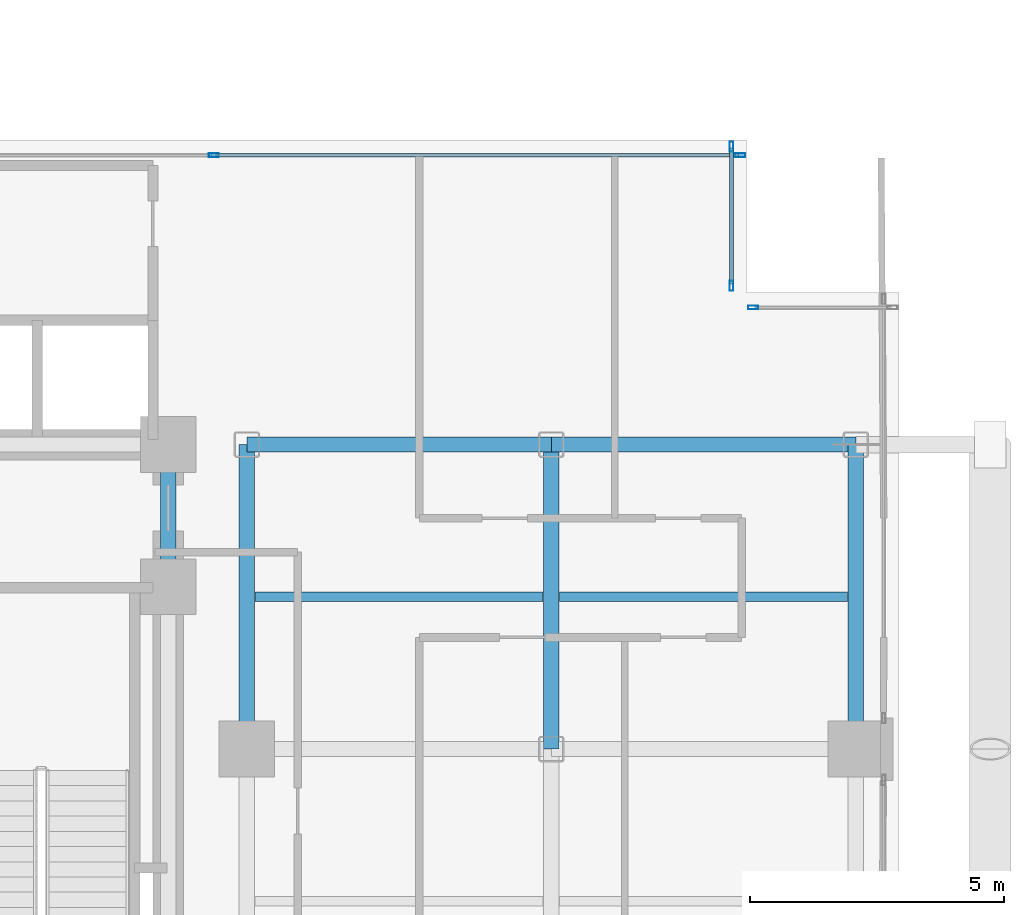
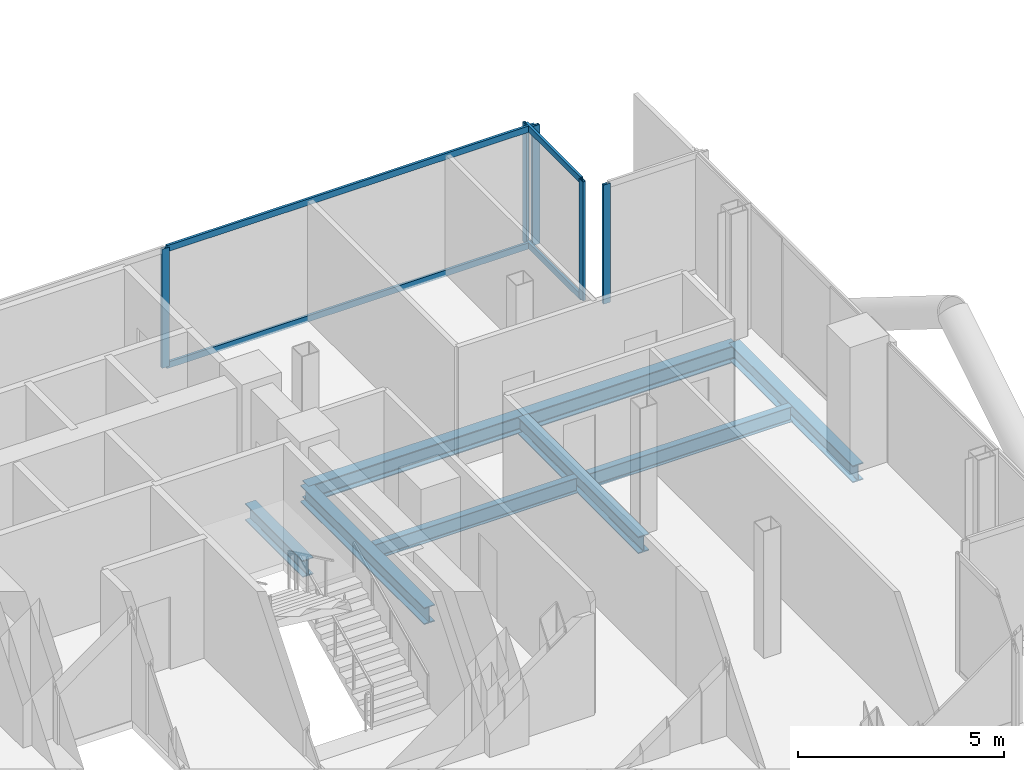
# One storey, part 13 of 28: 9 members, 8 beams, 3 elements without a shape of their own.
"""IFC4 building model written with IfcOpenShell, lengths in metres."""

from ifc_helpers import new_model, si_unit, direction, frame, origin, origin_2d, place, context, subcontext, project, spatial, hollow_rectangle, i_section, extrude, material, layer, layer_set, material_profile, profile_set, type_object, element, aggregate, save


model = new_model("IFC4")

# Units and contexts
model_context = context("Model", 3, precision=1e-05, world=origin(), true_north=direction((0.0, 1.0)))
body_context = subcontext(model_context, "Body", "Model", "MODEL_VIEW")
ifc_project = project(units=[si_unit("LENGTHUNIT", "METRE"), si_unit("AREAUNIT", "SQUARE_METRE"), si_unit("VOLUMEUNIT", "CUBIC_METRE"), si_unit("PLANEANGLEUNIT", "RADIAN"), si_unit("MASSUNIT", "GRAM", prefix="KILO"), si_unit("THERMODYNAMICTEMPERATUREUNIT", "KELVIN"), si_unit("POWERUNIT", "WATT")], contexts=[model_context])

# Site, building, storey
site_placement = place(None, origin())
site = spatial("IfcSite", under=ifc_project, at=site_placement, CompositionType="ELEMENT")
building_placement = place(site_placement, origin())
building = spatial("IfcBuilding", under=site, at=building_placement, Name="Svarakhadi Broadcast Tower", CompositionType="ELEMENT")
storey_placement = place(building_placement, frame((0.0, 0.0, 103.35009765625)))
storey = spatial("IfcBuildingStorey", under=building, at=storey_placement, Name="L24", CompositionType="ELEMENT", Elevation=103.35009765625)

# Beams
ifc_material_1 = material(Name="Steel S355J2 (IS 2062 E350C)", Category="steel")
ifc_material_profile_1 = material_profile(ifc_material_1, i_section(OverallWidth=0.18994140625, OverallDepth=0.449951171875, WebThickness=0.009521484375, FlangeThickness=0.0146484375, FilletRadius=0.02099609375, at=origin_2d()), Name="NPB 450x190x78")
ifc_profile_set_1 = profile_set([ifc_material_profile_1], Name="Steel S355J2 (IS 2062 E350C)")
beam_type_1 = type_object("IfcBeamType", Name="Beam_NPB450", PredefinedType="BEAM", material=ifc_profile_set_1)
for number, where, z_axis, x_axis, name in (
    (1, (35.31005859375, 15.0, -0.4501953125), (1.0, 0.0, 0.0), (0.0, 1.0, 0.0), "L24 Secondary Composite Beam SB021"),
    (2, (41.31005859375, 15.0, -0.4501953125), (1.0, 0.0, 0.0), (0.0, 1.0, 0.0), "L24 Secondary Composite Beam SB023"),
):
    element("IfcBeam", number, at=place(storey_placement, frame(where, z_axis=z_axis, x_axis=x_axis)), inside=storey, type_object=beam_type_1, Name=name, PredefinedType="BEAM", context=body_context, shape_type="SweptSolid", body=[
        extrude(i_section(OverallWidth=0.18994140625, OverallDepth=0.449951171875, WebThickness=0.009521484375, FlangeThickness=0.0146484375, FilletRadius=0.02099609375, at=origin_2d()), origin(), (0.0, 0.0, 1.0), 5.679931640625),
    ])

# Curtain wall, members
ifc_material_2 = material(Name="Anodised Bronze Aluminium AA 6063-T6", Category="aluminium")
ifc_layer = layer(ifc_material_2, 0.199951171875)
ifc_layer_set = layer_set([ifc_layer], Name="Anodised Bronze Aluminium AA 6063-T6")
curtain_wall_type = type_object("IfcCurtainWallType", Name="CW_Sys_03", PredefinedType="NOTDEFINED", material=ifc_layer_set)
curtain_wall_1_placement = place(storey_placement, origin())
curtain_wall_1 = element("IfcCurtainWall", 3, at=curtain_wall_1_placement, inside=storey, type_object=curtain_wall_type, Name="L24 Unitised Facade Curtain Wall 10", PredefinedType="NOTDEFINED")
ifc_material_profile_2 = material_profile(ifc_material_2, hollow_rectangle(XDim=0.074951171875, YDim=0.199951171875, WallThickness=0.005615234375, at=origin_2d()), Name="ALU MULLION 200x75x6")
ifc_profile_set_2 = profile_set([ifc_material_profile_2], Name="Anodised Bronze Aluminium AA 6063-T6")
member_type_1 = type_object("IfcMemberType", Name="CW_Sys_03_Mul", PredefinedType="MULLION", material=ifc_profile_set_2)
member_1_placement = place(storey_placement, frame((34.5, 23.699951171875, 0.0), z_axis=(0.0, 0.0, 1.0), x_axis=(0.0, 1.0, 0.0)))
member_1 = element("IfcMember", 4, at=member_1_placement, type_object=member_type_1, Name="CW-03 mullion 2", PredefinedType="MULLION", context=body_context, shape_type="SweptSolid", body=[
    extrude(hollow_rectangle(XDim=0.074951171875, YDim=0.199951171875, WallThickness=0.005615234375, at=origin_2d()), origin(), (0.0, 0.0, 1.0), 3.52490234375),
])
member_2_placement = place(storey_placement, frame((44.87255859375, 23.699951171875, 0.0), z_axis=(0.0, 0.0, 1.0), x_axis=(0.0, 1.0, 0.0)))
member_2 = element("IfcMember", 5, at=member_2_placement, type_object=member_type_1, Name="CW-03 mullion 3", PredefinedType="MULLION", context=body_context, shape_type="SweptSolid", body=[
    extrude(hollow_rectangle(XDim=0.074951171875, YDim=0.199951171875, WallThickness=0.005615234375, at=origin_2d()), origin(), (0.0, 0.0, 1.0), 3.52490234375),
])

curtain_wall_2_placement = place(storey_placement, origin())
curtain_wall_2 = element("IfcCurtainWall", 6, at=curtain_wall_2_placement, inside=storey, type_object=curtain_wall_type, Name="L24 Unitised Facade Curtain Wall 11", PredefinedType="NOTDEFINED")
member_3_placement = place(storey_placement, frame((44.699951171875, 23.87255859375, 0.0), z_axis=(0.0, 0.0, 1.0), x_axis=(1.0, 0.0, 0.0)))
member_3 = element("IfcMember", 7, at=member_3_placement, type_object=member_type_1, Name="CW-03 mullion 1", PredefinedType="MULLION", context=body_context, shape_type="SweptSolid", body=[
    extrude(hollow_rectangle(XDim=0.074951171875, YDim=0.199951171875, WallThickness=0.005615234375, at=origin_2d()), origin(), (0.0, 0.0, 1.0), 3.52490234375),
])
member_4_placement = place(storey_placement, frame((44.699951171875, 21.12744140625, 0.0), z_axis=(0.0, 0.0, 1.0), x_axis=(1.0, 0.0, 0.0)))
member_4 = element("IfcMember", 8, at=member_4_placement, type_object=member_type_1, Name="CW-03 mullion 2", PredefinedType="MULLION", context=body_context, shape_type="SweptSolid", body=[
    extrude(hollow_rectangle(XDim=0.074951171875, YDim=0.199951171875, WallThickness=0.005615234375, at=origin_2d()), origin(), (0.0, 0.0, 1.0), 3.52490234375),
])

# Curtain wall, member
curtain_wall_3_placement = place(storey_placement, origin())
curtain_wall_3 = element("IfcCurtainWall", 9, at=curtain_wall_3_placement, inside=storey, type_object=curtain_wall_type, Name="L24 Unitised Facade Curtain Wall 12", PredefinedType="NOTDEFINED")
member_5_placement = place(storey_placement, frame((45.12744140625, 20.699951171875, 0.0), z_axis=(0.0, 0.0, 1.0), x_axis=(0.0, 1.0, 0.0)))
member_5 = element("IfcMember", 10, at=member_5_placement, type_object=member_type_1, Name="CW-03 mullion 1", PredefinedType="MULLION", context=body_context, shape_type="SweptSolid", body=[
    extrude(hollow_rectangle(XDim=0.074951171875, YDim=0.199951171875, WallThickness=0.005615234375, at=origin_2d()), origin(), (0.0, 0.0, 1.0), 3.52490234375),
])
aggregate(curtain_wall_3, [member_5])

# Member
ifc_material_profile_3 = material_profile(ifc_material_2, hollow_rectangle(XDim=0.070068359375, YDim=0.18505859375, WallThickness=0.0048828125, at=origin_2d()), Name="ALU TRANSOM 185x70x5")
ifc_profile_set_3 = profile_set([ifc_material_profile_3], Name="Anodised Bronze Aluminium AA 6063-T6")
member_type_2 = type_object("IfcMemberType", Name="CW_Sys_03_Trn", PredefinedType="USERDEFINED", material=ifc_profile_set_3)
member_6_placement = place(storey_placement, frame((34.53759765625, 23.699951171875, 0.034912109375), z_axis=(1.0, 0.0, 0.0), x_axis=(0.0, 1.0, 0.0)))
member_6 = element("IfcMember", 11, at=member_6_placement, type_object=member_type_2, Name="CW-03 transom 2.1", ObjectType="TRANSOM", PredefinedType="USERDEFINED", context=body_context, shape_type="SweptSolid", body=[
    extrude(hollow_rectangle(XDim=0.070068359375, YDim=0.18505859375, WallThickness=0.0048828125, at=origin_2d()), origin(), (0.0, 0.0, 1.0), 10.29736328125),
])

member_7_placement = place(storey_placement, frame((34.53759765625, 23.699951171875, 3.489990234375), z_axis=(1.0, 0.0, 0.0), x_axis=(0.0, 1.0, 0.0)))
member_7 = element("IfcMember", 12, at=member_7_placement, type_object=member_type_2, Name="CW-03 transom 2.2", ObjectType="TRANSOM", PredefinedType="USERDEFINED", context=body_context, shape_type="SweptSolid", body=[
    extrude(hollow_rectangle(XDim=0.070068359375, YDim=0.18505859375, WallThickness=0.0048828125, at=origin_2d()), origin(), (0.0, 0.0, 1.0), 10.29736328125),
])

aggregate(curtain_wall_1, [member_1, member_2, member_6, member_7])

member_8_placement = place(storey_placement, frame((44.699951171875, 23.8349609375, 0.034912109375), z_axis=(0.0, -1.0, 0.0), x_axis=(1.0, 0.0, 0.0)))
member_8 = element("IfcMember", 13, at=member_8_placement, type_object=member_type_2, Name="CW-03 transom 1.1", ObjectType="TRANSOM", PredefinedType="USERDEFINED", context=body_context, shape_type="SweptSolid", body=[
    extrude(hollow_rectangle(XDim=0.070068359375, YDim=0.18505859375, WallThickness=0.0048828125, at=origin_2d()), origin(), (0.0, 0.0, 1.0), 2.669921875),
])

member_9_placement = place(storey_placement, frame((44.699951171875, 23.8349609375, 3.489990234375), z_axis=(0.0, -1.0, 0.0), x_axis=(1.0, 0.0, 0.0)))
member_9 = element("IfcMember", 14, at=member_9_placement, type_object=member_type_2, Name="CW-03 transom 1.2", ObjectType="TRANSOM", PredefinedType="USERDEFINED", context=body_context, shape_type="SweptSolid", body=[
    extrude(hollow_rectangle(XDim=0.070068359375, YDim=0.18505859375, WallThickness=0.0048828125, at=origin_2d()), origin(), (0.0, 0.0, 1.0), 2.669921875),
])

aggregate(curtain_wall_2, [member_3, member_4, member_8, member_9])

# Beams
ifc_material_profile_4 = material_profile(ifc_material_1, i_section(OverallWidth=0.300048828125, OverallDepth=0.5, WebThickness=0.014404296875, FlangeThickness=0.028076171875, FilletRadius=0.027099609375, at=origin_2d()), Name="WPB 500x300x187")
ifc_profile_set_4 = profile_set([ifc_material_profile_4], Name="Steel S355J2 (IS 2062 E350C)")
beam_type_2 = type_object("IfcBeamType", Name="Girder_WPB500", PredefinedType="USERDEFINED", material=ifc_profile_set_4)
for number, where, z_axis, x_axis, name in (
    (15, (35.14990234375, 18.0, -0.47509765625), (1.0, 0.0, 0.0), (0.0, 1.0, 0.0), "L24 Primary E-W Girder G028"),
    (16, (41.14990234375, 18.0, -0.47509765625), (1.0, 0.0, 0.0), (0.0, 1.0, 0.0), "L24 Primary E-W Girder G029"),
):
    element("IfcBeam", number, at=place(storey_placement, frame(where, z_axis=z_axis, x_axis=x_axis)), inside=storey, type_object=beam_type_2, Name=name, ObjectType="GIRDER", PredefinedType="USERDEFINED", context=body_context, shape_type="SweptSolid", body=[
        extrude(i_section(OverallWidth=0.300048828125, OverallDepth=0.5, WebThickness=0.014404296875, FlangeThickness=0.028076171875, FilletRadius=0.027099609375, at=origin_2d()), origin(), (0.0, 0.0, 1.0), 6.0),
    ])
beam_placement = place(storey_placement, frame((33.60009765625, 15.199951171875, -0.47509765625), z_axis=(0.0, 1.0, 0.0), x_axis=(-1.0, 0.0, 0.0)))
element("IfcBeam", 17, at=beam_placement, inside=storey, type_object=beam_type_2, Name="L24 Primary N-S Girder G066", ObjectType="GIRDER", PredefinedType="USERDEFINED", context=body_context, shape_type="SweptSolid", body=[
    extrude(i_section(OverallWidth=0.300048828125, OverallDepth=0.5, WebThickness=0.014404296875, FlangeThickness=0.028076171875, FilletRadius=0.027099609375, at=origin_2d()), origin(), (0.0, 0.0, 1.0), 2.800048828125),
])
for number, where, z_axis, x_axis, name in (
    (18, (35.14990234375, 12.0, -0.47509765625), (0.0, 1.0, 0.0), (-1.0, 0.0, 0.0), "L24 Primary N-S Girder G069"),
    (19, (41.14990234375, 12.0, -0.47509765625), (0.0, 1.0, 0.0), (-1.0, 0.0, 0.0), "L24 Primary N-S Girder G072"),
    (20, (47.14990234375, 12.0, -0.47509765625), (0.0, 1.0, 0.0), (-1.0, 0.0, 0.0), "L24 Primary N-S Girder G074"),
):
    element("IfcBeam", number, at=place(storey_placement, frame(where, z_axis=z_axis, x_axis=x_axis)), inside=storey, type_object=beam_type_2, Name=name, ObjectType="GIRDER", PredefinedType="USERDEFINED", context=body_context, shape_type="SweptSolid", body=[
        extrude(i_section(OverallWidth=0.300048828125, OverallDepth=0.5, WebThickness=0.014404296875, FlangeThickness=0.028076171875, FilletRadius=0.027099609375, at=origin_2d()), origin(), (0.0, 0.0, 1.0), 6.0),
    ])

save(model, "model.ifc")
